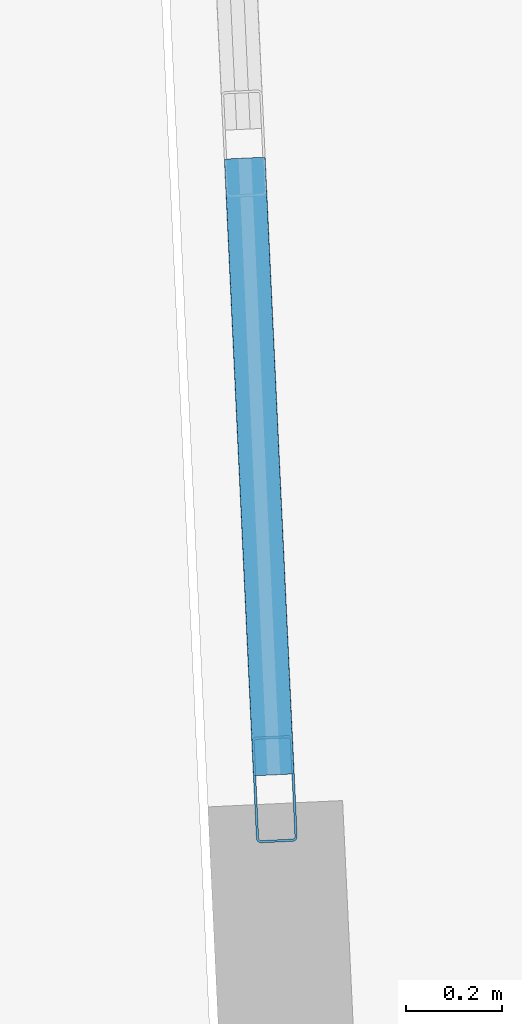
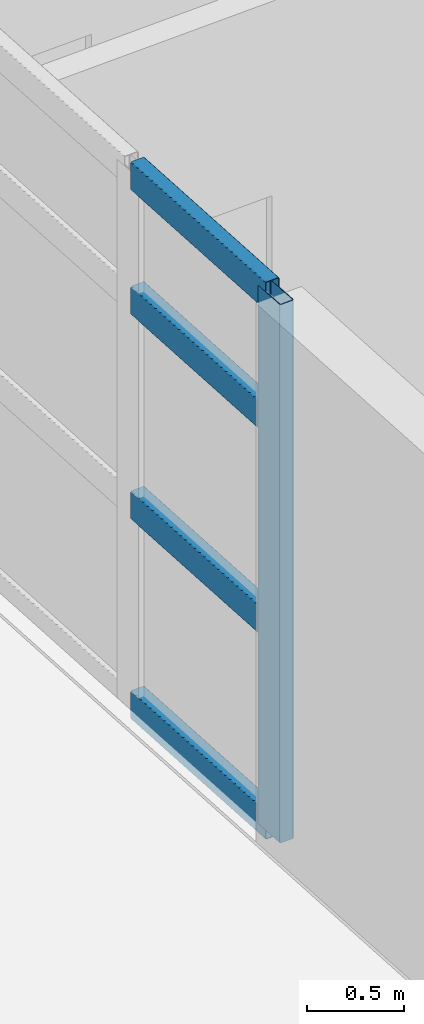
# One storey, part 2 of 22: 5 members, 1 element without a shape of its own.
"""IFC4 building model written with IfcOpenShell, lengths in metres."""

from ifc_helpers import new_model, si_unit, direction, frame, origin, origin_2d, place, context, subcontext, project, spatial, hollow_rectangle, extrude, material, layer, layer_set, material_profile, profile_set, type_object, element, aggregate, save


model = new_model("IFC4")

# Units and contexts
model_context = context("Model", 3, precision=1e-05, world=origin(), true_north=direction((0.0, 1.0)))
body_context = subcontext(model_context, "Body", "Model", "MODEL_VIEW")
ifc_project = project(units=[si_unit("LENGTHUNIT", "METRE"), si_unit("AREAUNIT", "SQUARE_METRE"), si_unit("VOLUMEUNIT", "CUBIC_METRE"), si_unit("PLANEANGLEUNIT", "RADIAN"), si_unit("MASSUNIT", "GRAM", prefix="KILO")], contexts=[model_context])

# Site, building, storey
site_placement = place(None, origin())
site = spatial("IfcSite", under=ifc_project, at=site_placement, CompositionType="ELEMENT")
building_placement = place(site_placement, origin())
building = spatial("IfcBuilding", under=site, at=building_placement, Name="Qingluan Cross Belvedere", CompositionType="ELEMENT")
storey_placement = place(building_placement, frame((0.0, 0.0, 196.800048828125)))
storey = spatial("IfcBuildingStorey", under=building, at=storey_placement, Name="L49", CompositionType="ELEMENT", Elevation=196.800048828125)

# Curtain wall, members
ifc_material_1 = material(Name="Thermally broken aluminium and Low-E glass", Category="aluminium")
ifc_layer = layer(ifc_material_1, 0.219970703125, Name="UnitisedCW_SkyLobbyHigh")
ifc_layer_set = layer_set([ifc_layer], Name="Thermally broken aluminium and Low-E glass")
curtain_wall_type = type_object("IfcCurtainWallType", Name="UnitisedCW_SkyLobbyHigh", PredefinedType="USERDEFINED", material=ifc_layer_set)
curtain_wall_placement = place(storey_placement, origin())
curtain_wall = element("IfcCurtainWall", 1, at=curtain_wall_placement, inside=storey, type_object=curtain_wall_type, Name="UnitisedCW_SkyLobbyHigh run env:cw:L49:W", ObjectType="UNITISED CURTAIN WALL", PredefinedType="USERDEFINED")
ifc_material_2 = material(Name="Aluminium alloy 6063-T6", Category="aluminium")
ifc_material_profile_1 = material_profile(ifc_material_2, hollow_rectangle(XDim=0.0849609375, YDim=0.219970703125, WallThickness=0.0048828125, InnerFilletRadius=0.0048828125, OuterFilletRadius=0.010009765625, at=origin_2d()), Name="CWM220x85x5")
ifc_profile_set_1 = profile_set([ifc_material_profile_1], Name="Aluminium alloy 6063-T6")
member_type_1 = type_object("IfcMemberType", Name="CWMullion_220", PredefinedType="MULLION", material=ifc_profile_set_1)
member_1_placement = place(storey_placement, frame((-29.619140625, -4.11376953125, 0.0), z_axis=(0.0, 0.0, 1.0), x_axis=(0.998890085504, 0.04710198597, 0.0)))
member_1 = element("IfcMember", 2, at=member_1_placement, type_object=member_type_1, Name="CW-S2 mullion 5", PredefinedType="MULLION", context=body_context, shape_type="SweptSolid", body=[
    extrude(hollow_rectangle(XDim=0.0849609375, YDim=0.219970703125, WallThickness=0.0048828125, InnerFilletRadius=0.0048828125, OuterFilletRadius=0.010009765625, at=origin_2d()), origin(), (0.0, 0.0, 1.0), 3.3798828125),
])
ifc_material_3 = material(Name="Aluminium alloy 6063-T6", Category="aluminium")
ifc_material_profile_2 = material_profile(ifc_material_3, hollow_rectangle(XDim=0.0849609375, YDim=0.179931640625, WallThickness=0.00390625, InnerFilletRadius=0.00390625, OuterFilletRadius=0.008056640625, at=origin_2d()), Name="CWT180x85x4")
ifc_profile_set_2 = profile_set([ifc_material_profile_2], Name="Aluminium alloy 6063-T6")
member_type_2 = type_object("IfcMemberType", Name="CWTransom_180", PredefinedType="USERDEFINED", material=ifc_profile_set_2)
member_2_placement = place(storey_placement, frame((-29.680908203125, -2.80322265625, 0.030029296875), z_axis=(0.047031390152, -0.998893411902, 0.0), x_axis=(0.998893411902, 0.047031390152, 0.0)))
member_2 = element("IfcMember", 3, at=member_2_placement, type_object=member_type_2, Name="CW-S2 transom 4.1", ObjectType="TRANSOM", PredefinedType="USERDEFINED", context=body_context, shape_type="SweptSolid", body=[
    extrude(hollow_rectangle(XDim=0.0849609375, YDim=0.179931640625, WallThickness=0.00390625, InnerFilletRadius=0.00390625, OuterFilletRadius=0.008056640625, at=origin_2d()), origin(), (0.0, 0.0, 1.0), 1.2822265625),
])
member_3_placement = place(storey_placement, frame((-29.680908203125, -2.80322265625, 1.283935546875), z_axis=(0.047031390152, -0.998893411902, 0.0), x_axis=(0.998893411902, 0.047031390152, 0.0)))
member_3 = element("IfcMember", 4, at=member_3_placement, type_object=member_type_2, Name="CW-S2 transom 4.2", ObjectType="TRANSOM", PredefinedType="USERDEFINED", context=body_context, shape_type="SweptSolid", body=[
    extrude(hollow_rectangle(XDim=0.0849609375, YDim=0.179931640625, WallThickness=0.00390625, InnerFilletRadius=0.00390625, OuterFilletRadius=0.008056640625, at=origin_2d()), origin(), (0.0, 0.0, 1.0), 1.2822265625),
])
member_4_placement = place(storey_placement, frame((-29.680908203125, -2.80322265625, 2.56884765625), z_axis=(0.047031390152, -0.998893411902, 0.0), x_axis=(0.998893411902, 0.047031390152, 0.0)))
member_4 = element("IfcMember", 5, at=member_4_placement, type_object=member_type_2, Name="CW-S2 transom 4.3", ObjectType="TRANSOM", PredefinedType="USERDEFINED", context=body_context, shape_type="SweptSolid", body=[
    extrude(hollow_rectangle(XDim=0.0849609375, YDim=0.179931640625, WallThickness=0.00390625, InnerFilletRadius=0.00390625, OuterFilletRadius=0.008056640625, at=origin_2d()), origin(), (0.0, 0.0, 1.0), 1.2822265625),
])
member_5_placement = place(storey_placement, frame((-29.680908203125, -2.80322265625, 3.349853515625), z_axis=(0.047031390152, -0.998893411902, 0.0), x_axis=(0.998893411902, 0.047031390152, 0.0)))
member_5 = element("IfcMember", 6, at=member_5_placement, type_object=member_type_2, Name="CW-S2 transom 4.4", ObjectType="TRANSOM", PredefinedType="USERDEFINED", context=body_context, shape_type="SweptSolid", body=[
    extrude(hollow_rectangle(XDim=0.0849609375, YDim=0.179931640625, WallThickness=0.00390625, InnerFilletRadius=0.00390625, OuterFilletRadius=0.008056640625, at=origin_2d()), origin(), (0.0, 0.0, 1.0), 1.2822265625),
])
aggregate(curtain_wall, [member_1, member_2, member_3, member_4, member_5])

save(model, "model.ifc")
